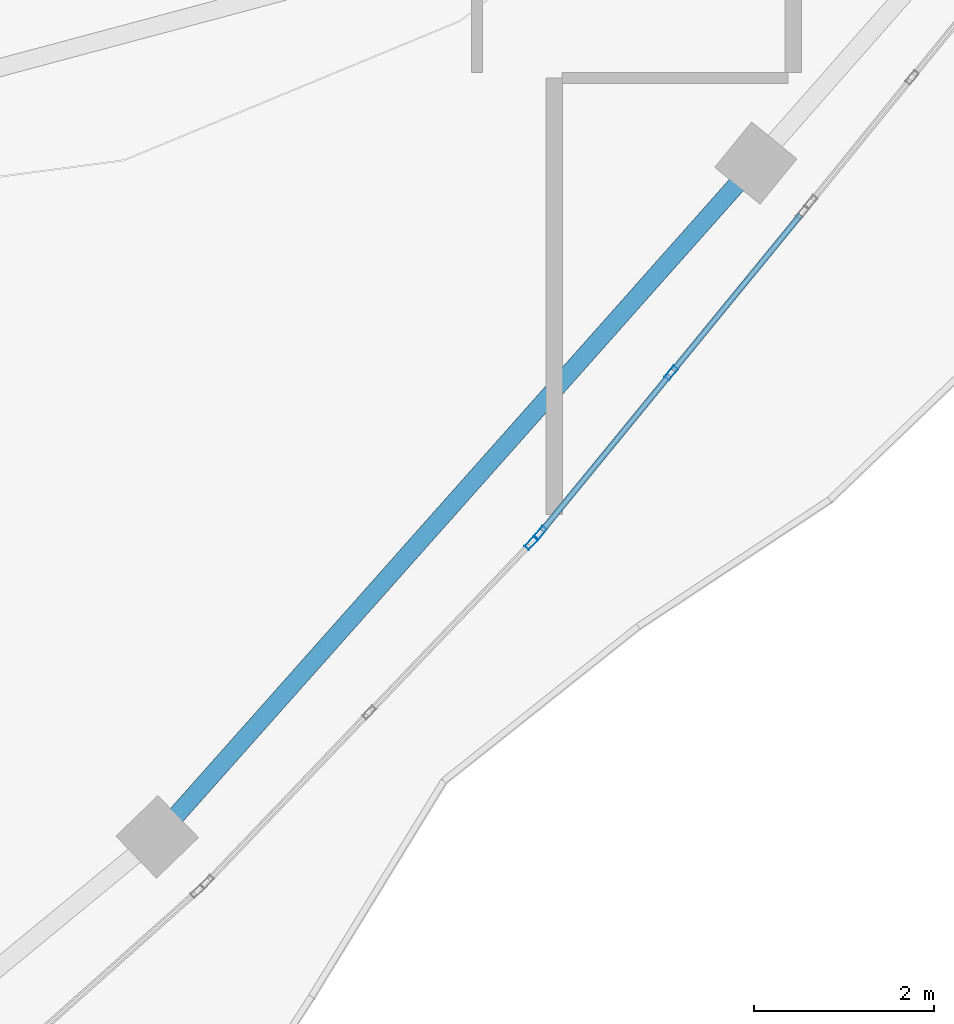
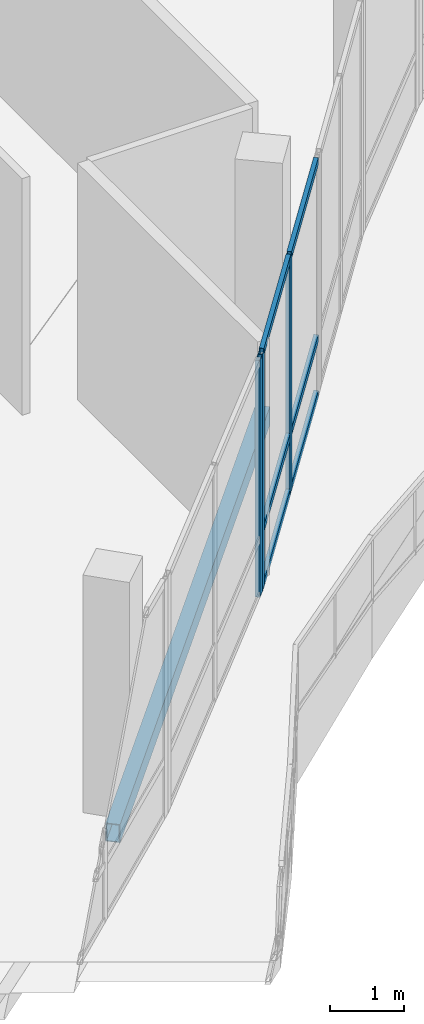
# One storey, part 52 of 184: 9 members, 1 beam, 2 elements without a shape of their own.
"""IFC4 building model written with IfcOpenShell, lengths in metres."""

from ifc_helpers import new_model, si_unit, direction, frame, origin, origin_2d, place, context, subcontext, project, spatial, hollow_rectangle, extrude, material, material_profile, profile_set, type_object, element, aggregate, save


model = new_model("IFC4")

# Units and contexts
model_context = context("Model", 3, precision=1e-05, world=origin(), true_north=direction((0.0, 1.0)))
body_context = subcontext(model_context, "Body", "Model", "MODEL_VIEW")
ifc_project = project(units=[si_unit("LENGTHUNIT", "METRE"), si_unit("AREAUNIT", "SQUARE_METRE"), si_unit("VOLUMEUNIT", "CUBIC_METRE"), si_unit("PLANEANGLEUNIT", "RADIAN"), si_unit("MASSUNIT", "GRAM", prefix="KILO")], contexts=[model_context])

# Site, building, storey
site_placement = place(None, origin())
site = spatial("IfcSite", under=ifc_project, at=site_placement, CompositionType="ELEMENT")
building_placement = place(site_placement, origin())
building = spatial("IfcBuilding", under=site, at=building_placement, Name="Selatvlak General Hospital", CompositionType="ELEMENT")
storey_placement = place(building_placement, frame((0.0, 0.0, 15.0)))
storey = spatial("IfcBuildingStorey", under=building, at=storey_placement, Name="L03", CompositionType="ELEMENT", Elevation=15.0)

# Beam
ifc_material_1 = material(Name="Steel S355", Category="steel")
ifc_material_profile_1 = material_profile(ifc_material_1, hollow_rectangle(XDim=0.199951171875, YDim=0.300048828125, WallThickness=0.011962890625, at=origin_2d()), Name="RHS 300x200x12")
ifc_profile_set_1 = profile_set([ifc_material_profile_1], Name="Steel S355")
beam_type = type_object("IfcBeamType", Name="BM-SP3", PredefinedType="SPANDREL", material=ifc_profile_set_1)
beam_placement = place(storey_placement, frame((102.383056640625, 31.4970703125, -0.489990234375), z_axis=(0.664193048636, 0.747561097265, 0.0), x_axis=(-0.747561097265, 0.664193048636, 0.0)))
element("IfcBeam", 1, at=beam_placement, inside=storey, type_object=beam_type, Name="Beam BMR-L03-1498", PredefinedType="SPANDREL", context=body_context, shape_type="SweptSolid", body=[
    extrude(hollow_rectangle(XDim=0.199951171875, YDim=0.300048828125, WallThickness=0.011962890625, at=origin_2d()), origin(), (0.0, 0.0, 1.0), 10.027099609375),
])

# Curtain wall, members
ifc_material_2 = material(Name="Solar-control Low-E double glazing", Category="glass")
curtain_wall_type_1 = type_object("IfcCurtainWallType", Name="CW-CW-02", PredefinedType="USERDEFINED", material=ifc_material_2)
curtain_wall_1_placement = place(storey_placement, origin())
curtain_wall_1 = element("IfcCurtainWall", 2, at=curtain_wall_1_placement, inside=storey, type_object=curtain_wall_type_1, Name="Glazed facade curtain wall CW-L03-0416", ObjectType="UNITISED CURTAIN WALL", PredefinedType="USERDEFINED")
ifc_material_3 = material(Name="Dark anodised aluminium mullion", Category="aluminium")
ifc_material_profile_2 = material_profile(ifc_material_3, hollow_rectangle(XDim=0.06494140625, YDim=0.159912109375, WallThickness=0.00390625, at=origin_2d()), Name="AL-MUL 65x160x4")
ifc_profile_set_2 = profile_set([ifc_material_profile_2], Name="Dark anodised aluminium mullion")
member_type_1 = type_object("IfcMemberType", Name="CWM-01", PredefinedType="MULLION", material=ifc_profile_set_2)
member_1_placement = place(storey_placement, frame((108.1025390625, 36.659423828125, 0.0), z_axis=(0.0, 0.0, 1.0), x_axis=(0.773785702976, -0.633447461018, 0.0)))
member_1 = element("IfcMember", 3, at=member_1_placement, type_object=member_type_1, Name="CW-02 mullion 2", PredefinedType="MULLION", context=body_context, shape_type="SweptSolid", body=[
    extrude(hollow_rectangle(XDim=0.06494140625, YDim=0.159912109375, WallThickness=0.00390625, at=origin_2d()), origin(), (0.0, 0.0, 1.0), 3.89501953125),
])
member_2_placement = place(storey_placement, frame((106.642578125, 34.876220703125, 0.0), z_axis=(0.0, 0.0, 1.0), x_axis=(0.773785702976, -0.633447461018, 0.0)))
member_2 = element("IfcMember", 4, at=member_2_placement, type_object=member_type_1, Name="CW-02 mullion 3", PredefinedType="MULLION", context=body_context, shape_type="SweptSolid", body=[
    extrude(hollow_rectangle(XDim=0.06494140625, YDim=0.159912109375, WallThickness=0.00390625, at=origin_2d()), origin(), (0.0, 0.0, 1.0), 3.89501953125),
])

# Curtain wall, member
curtain_wall_type_2 = type_object("IfcCurtainWallType", Name="CW-CW-01", PredefinedType="USERDEFINED", material=ifc_material_2)
curtain_wall_2_placement = place(storey_placement, origin())
curtain_wall_2 = element("IfcCurtainWall", 5, at=curtain_wall_2_placement, inside=storey, type_object=curtain_wall_type_2, Name="Glazed facade curtain wall CW-L03-0417", ObjectType="UNITISED CURTAIN WALL", PredefinedType="USERDEFINED")
member_3_placement = place(storey_placement, frame((106.545654296875, 34.7685546875, 0.0), z_axis=(0.0, 0.0, 1.0), x_axis=(0.722908808256, -0.690943452785, 0.0)))
member_3 = element("IfcMember", 6, at=member_3_placement, type_object=member_type_1, Name="CW-01 mullion 1", PredefinedType="MULLION", context=body_context, shape_type="SweptSolid", body=[
    extrude(hollow_rectangle(XDim=0.06494140625, YDim=0.159912109375, WallThickness=0.00390625, at=origin_2d()), origin(), (0.0, 0.0, 1.0), 3.89501953125),
])
aggregate(curtain_wall_2, [member_3])

# Member
ifc_material_profile_3 = material_profile(ifc_material_3, hollow_rectangle(XDim=0.06494140625, YDim=0.1201171875, WallThickness=0.00390625, at=origin_2d()), Name="AL-TRN 65x120x4")
ifc_profile_set_3 = profile_set([ifc_material_profile_3], Name="Dark anodised aluminium mullion")
member_type_2 = type_object("IfcMemberType", Name="CWT-01", PredefinedType="USERDEFINED", material=ifc_profile_set_3)
member_4_placement = place(storey_placement, frame((109.541748046875, 38.417724609375, 0.032470703125), z_axis=(-0.633415847539, -0.773811581773, 0.0), x_axis=(0.773811581773, -0.633415847539, 0.0)))
member_4 = element("IfcMember", 7, at=member_4_placement, type_object=member_type_2, Name="CW-02 transom 1.1", ObjectType="TRANSOM", PredefinedType="USERDEFINED", context=body_context, shape_type="SweptSolid", body=[
    extrude(hollow_rectangle(XDim=0.06494140625, YDim=0.1201171875, WallThickness=0.00390625, at=origin_2d()), origin(), (0.0, 0.0, 1.0), 2.23974609375),
])

member_5_placement = place(storey_placement, frame((109.541748046875, 38.417724609375, 0.949951171875), z_axis=(-0.633415847539, -0.773811581773, 0.0), x_axis=(0.773811581773, -0.633415847539, 0.0)))
member_5 = element("IfcMember", 8, at=member_5_placement, type_object=member_type_2, Name="CW-02 transom 1.2", ObjectType="TRANSOM", PredefinedType="USERDEFINED", context=body_context, shape_type="SweptSolid", body=[
    extrude(hollow_rectangle(XDim=0.06494140625, YDim=0.1201171875, WallThickness=0.00390625, at=origin_2d()), origin(), (0.0, 0.0, 1.0), 2.23974609375),
])

member_6_placement = place(storey_placement, frame((109.541748046875, 38.417724609375, 3.862548828125), z_axis=(-0.633415847539, -0.773811581773, 0.0), x_axis=(0.773811581773, -0.633415847539, 0.0)))
member_6 = element("IfcMember", 9, at=member_6_placement, type_object=member_type_2, Name="CW-02 transom 1.3", ObjectType="TRANSOM", PredefinedType="USERDEFINED", context=body_context, shape_type="SweptSolid", body=[
    extrude(hollow_rectangle(XDim=0.06494140625, YDim=0.1201171875, WallThickness=0.00390625, at=origin_2d()), origin(), (0.0, 0.0, 1.0), 2.23974609375),
])

member_7_placement = place(storey_placement, frame((108.08203125, 36.63427734375, 0.032470703125), z_axis=(-0.633534538308, -0.773714410342, 0.0), x_axis=(0.773714410342, -0.633534538308, 0.0)))
member_7 = element("IfcMember", 10, at=member_7_placement, type_object=member_type_2, Name="CW-02 transom 2.1", ObjectType="TRANSOM", PredefinedType="USERDEFINED", context=body_context, shape_type="SweptSolid", body=[
    extrude(hollow_rectangle(XDim=0.06494140625, YDim=0.1201171875, WallThickness=0.00390625, at=origin_2d()), origin(), (0.0, 0.0, 1.0), 2.23974609375),
])

member_8_placement = place(storey_placement, frame((108.08203125, 36.63427734375, 0.949951171875), z_axis=(-0.633534538308, -0.773714410342, 0.0), x_axis=(0.773714410342, -0.633534538308, 0.0)))
member_8 = element("IfcMember", 11, at=member_8_placement, type_object=member_type_2, Name="CW-02 transom 2.2", ObjectType="TRANSOM", PredefinedType="USERDEFINED", context=body_context, shape_type="SweptSolid", body=[
    extrude(hollow_rectangle(XDim=0.06494140625, YDim=0.1201171875, WallThickness=0.00390625, at=origin_2d()), origin(), (0.0, 0.0, 1.0), 2.23974609375),
])

member_9_placement = place(storey_placement, frame((108.08203125, 36.63427734375, 3.862548828125), z_axis=(-0.633534538308, -0.773714410342, 0.0), x_axis=(0.773714410342, -0.633534538308, 0.0)))
member_9 = element("IfcMember", 12, at=member_9_placement, type_object=member_type_2, Name="CW-02 transom 2.3", ObjectType="TRANSOM", PredefinedType="USERDEFINED", context=body_context, shape_type="SweptSolid", body=[
    extrude(hollow_rectangle(XDim=0.06494140625, YDim=0.1201171875, WallThickness=0.00390625, at=origin_2d()), origin(), (0.0, 0.0, 1.0), 2.23974609375),
])

aggregate(curtain_wall_1, [member_1, member_2, member_4, member_5, member_6, member_7, member_8, member_9])

save(model, "model.ifc")
